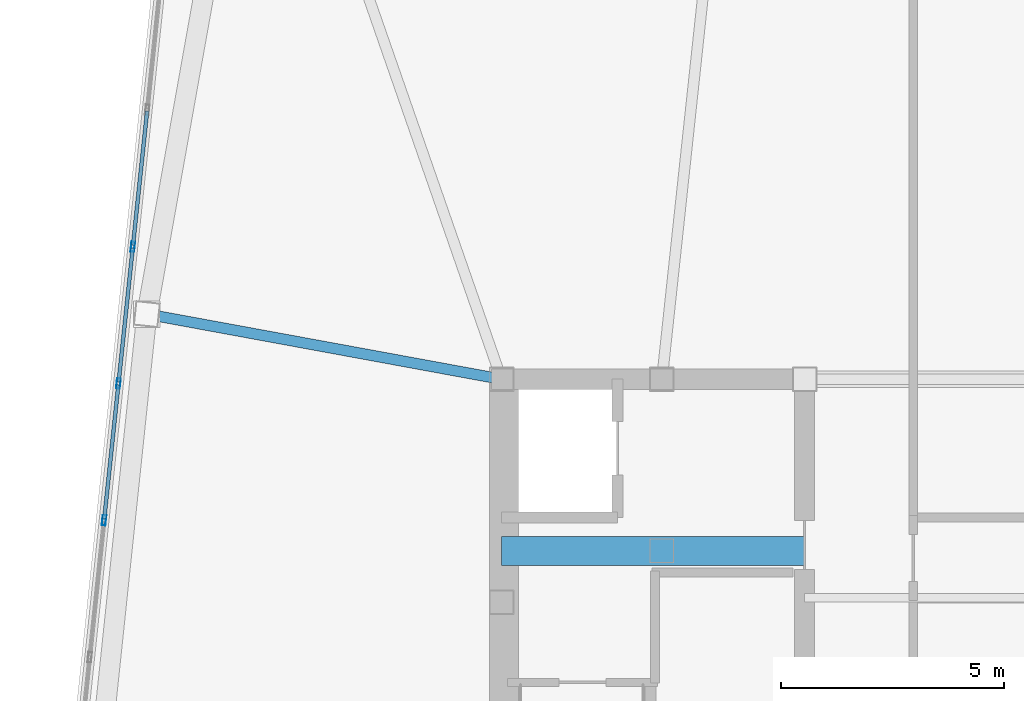
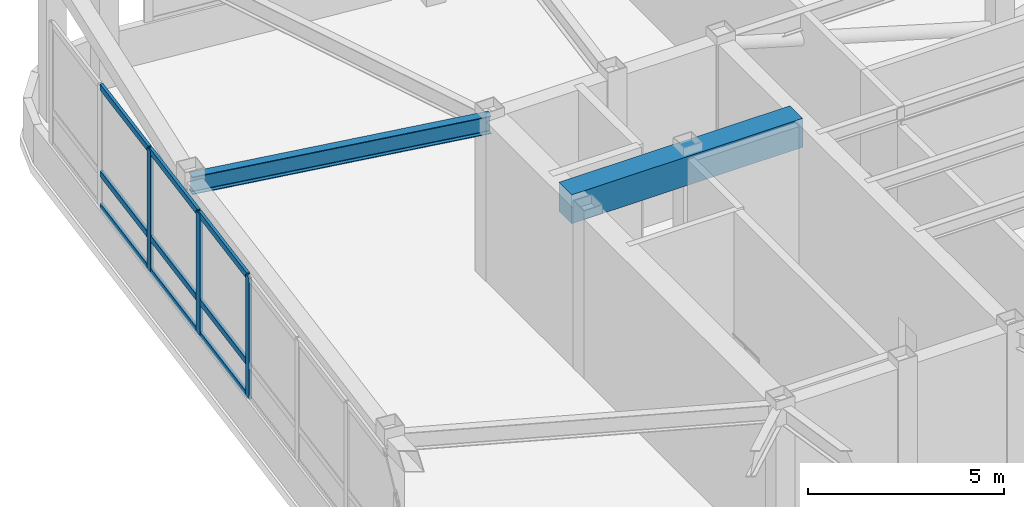
# One storey, part 7 of 21: 12 members, 2 beams, 1 element without a shape of its own.
"""IFC4 building model written with IfcOpenShell, lengths in metres."""

from ifc_helpers import new_model, si_unit, direction, frame, origin, origin_2d, place, context, subcontext, project, spatial, rectangle, hollow_rectangle, i_section, extrude, material, layer, layer_set, material_profile, profile_set, type_object, element, aggregate, save


model = new_model("IFC4")

# Units and contexts
model_context = context("Model", 3, precision=1e-05, world=origin(), true_north=direction((0.0, 1.0)))
body_context = subcontext(model_context, "Body", "Model", "MODEL_VIEW")
ifc_project = project(units=[si_unit("LENGTHUNIT", "METRE"), si_unit("AREAUNIT", "SQUARE_METRE"), si_unit("VOLUMEUNIT", "CUBIC_METRE"), si_unit("PLANEANGLEUNIT", "RADIAN"), si_unit("MASSUNIT", "GRAM", prefix="KILO")], contexts=[model_context])

# Site, building, storey
site_placement = place(None, origin())
site = spatial("IfcSite", under=ifc_project, at=site_placement, CompositionType="ELEMENT")
building_placement = place(site_placement, origin())
building = spatial("IfcBuilding", under=site, at=building_placement, Name="Voryun Gate Residences", CompositionType="ELEMENT")
storey_placement = place(building_placement, frame((0.0, 0.0, 337.199951171875)))
storey = spatial("IfcBuildingStorey", under=building, at=storey_placement, Name="L82", CompositionType="ELEMENT", Elevation=337.199951171875)

# Beams
ifc_material_1 = material(Name="Concrete C60/75", Category="concrete")
ifc_material_profile_1 = material_profile(ifc_material_1, rectangle(XDim=0.64990234375, YDim=0.89990234375, at=origin_2d()), Name="RC-650x900")
ifc_profile_set_1 = profile_set([ifc_material_profile_1], Name="Concrete C60/75")
beam_type_1 = type_object("IfcBeamType", Name="BM_COUP_RC900", PredefinedType="LINTEL", material=ifc_profile_set_1)
beam_1_placement = place(storey_placement, frame((-19.199951171875, 3.550048828125, 4.510009765625), z_axis=(1.0, 0.0, 0.0), x_axis=(0.0, 1.0, 0.0)))
element("IfcBeam", 1, at=beam_1_placement, inside=storey, type_object=beam_type_1, Name="BM-L82-WC1", PredefinedType="LINTEL", context=body_context, shape_type="SweptSolid", body=[
    extrude(rectangle(XDim=0.64990234375, YDim=0.89990234375, at=origin_2d()), origin(), (0.0, 0.0, 1.0), 6.800048828125),
])
ifc_material_2 = material(Name="Steel SM355", Category="steel")
ifc_material_profile_2 = material_profile(ifc_material_2, i_section(OverallWidth=0.239990234375, OverallDepth=0.550048828125, WebThickness=0.011962890625, FlangeThickness=0.02001953125, FilletRadius=0.01806640625, at=origin_2d()), Name="H-550x240x12x20")
ifc_profile_set_2 = profile_set([ifc_material_profile_2], Name="Steel SM355")
beam_type_2 = type_object("IfcBeamType", Name="BM_GIRD_550", PredefinedType="USERDEFINED", material=ifc_profile_set_2)
beam_2_placement = place(storey_placement, frame((-19.199951171875, 7.39990234375, 4.68505859375), z_axis=(-0.983548260318, 0.180645563534, 0.0), x_axis=(-0.180645563534, -0.983548260318, 0.0)))
element("IfcBeam", 2, at=beam_2_placement, inside=storey, type_object=beam_type_2, Name="BM-L82-RAD-W1", ObjectType="GIRDER", PredefinedType="USERDEFINED", context=body_context, shape_type="SweptSolid", body=[
    extrude(i_section(OverallWidth=0.239990234375, OverallDepth=0.550048828125, WebThickness=0.011962890625, FlangeThickness=0.02001953125, FilletRadius=0.01806640625, at=origin_2d()), origin(), (0.0, 0.0, 1.0), 8.09130859375),
])

# Curtain wall, members
ifc_material_3 = material(Name="Anodised aluminium", Category="aluminium")
ifc_layer = layer(ifc_material_3, 0.22998046875, Name="CW_SYS_LANTERN_DARK_GLASS")
ifc_layer_set = layer_set([ifc_layer], Name="Anodised aluminium")
curtain_wall_type = type_object("IfcCurtainWallType", Name="CW_SYS_LANTERN_DARK_GLASS", PredefinedType="NOTDEFINED", material=ifc_layer_set)
curtain_wall_placement = place(storey_placement, origin())
curtain_wall = element("IfcCurtainWall", 3, at=curtain_wall_placement, inside=storey, type_object=curtain_wall_type, Name="Curtain wall CW6-L82-06", PredefinedType="NOTDEFINED")
ifc_material_4 = material(Name="Anodised aluminium", Category="aluminium")
ifc_material_profile_3 = material_profile(ifc_material_4, hollow_rectangle(XDim=0.0849609375, YDim=0.22998046875, WallThickness=0.006103515625, at=origin_2d()), Name="ALU-MULL-230x85x6")
ifc_profile_set_3 = profile_set([ifc_material_profile_3], Name="Anodised aluminium")
member_type_1 = type_object("IfcMemberType", Name="CW_MULL_LANT", PredefinedType="MULLION", material=ifc_profile_set_3)
member_1_placement = place(storey_placement, frame((-28.1171875, 4.234375, 1.18994140625), z_axis=(0.0, 0.0, 1.0), x_axis=(-0.994521943608, 0.104528004296, 0.0)))
member_1 = element("IfcMember", 4, at=member_1_placement, type_object=member_type_1, Name="CW6 mullion 6", PredefinedType="MULLION", context=body_context, shape_type="SweptSolid", body=[
    extrude(hollow_rectangle(XDim=0.0849609375, YDim=0.22998046875, WallThickness=0.006103515625, at=origin_2d()), origin(), (0.0, 0.0, 1.0), 3.77001953125),
])
member_2_placement = place(storey_placement, frame((-27.79443359375, 7.305419921875, 1.18994140625), z_axis=(0.0, 0.0, 1.0), x_axis=(-0.994521943608, 0.104528004296, 0.0)))
member_2 = element("IfcMember", 5, at=member_2_placement, type_object=member_type_1, Name="CW6 mullion 7", PredefinedType="MULLION", context=body_context, shape_type="SweptSolid", body=[
    extrude(hollow_rectangle(XDim=0.0849609375, YDim=0.22998046875, WallThickness=0.006103515625, at=origin_2d()), origin(), (0.0, 0.0, 1.0), 3.77001953125),
])
member_3_placement = place(storey_placement, frame((-27.4716796875, 10.376220703125, 1.18994140625), z_axis=(0.0, 0.0, 1.0), x_axis=(-0.994521943608, 0.104528004296, 0.0)))
member_3 = element("IfcMember", 6, at=member_3_placement, type_object=member_type_1, Name="CW6 mullion 8", PredefinedType="MULLION", context=body_context, shape_type="SweptSolid", body=[
    extrude(hollow_rectangle(XDim=0.0849609375, YDim=0.22998046875, WallThickness=0.006103515625, at=origin_2d()), origin(), (0.0, 0.0, 1.0), 3.77001953125),
])
ifc_material_5 = material(Name="Anodised aluminium", Category="aluminium")
ifc_material_profile_4 = material_profile(ifc_material_5, hollow_rectangle(XDim=0.0849609375, YDim=0.18994140625, WallThickness=0.006103515625, at=origin_2d()), Name="ALU-TRAN-190x85x6")
ifc_profile_set_4 = profile_set([ifc_material_profile_4], Name="Anodised aluminium")
member_type_2 = type_object("IfcMemberType", Name="CW_TRAN_LANT", PredefinedType="USERDEFINED", material=ifc_profile_set_4)
member_4_placement = place(storey_placement, frame((-28.114013671875, 4.26416015625, 1.219970703125), z_axis=(0.104500100479, 0.994524876009, 0.0), x_axis=(-0.994524876009, 0.104500100479, 0.0)))
member_4 = element("IfcMember", 7, at=member_4_placement, type_object=member_type_2, Name="CW6 transom 6.1", ObjectType="TRANSOM", PredefinedType="USERDEFINED", context=body_context, shape_type="SweptSolid", body=[
    extrude(hollow_rectangle(XDim=0.0849609375, YDim=0.18994140625, WallThickness=0.006103515625, at=origin_2d()), origin(), (0.0, 0.0, 1.0), 3.02783203125),
])
member_5_placement = place(storey_placement, frame((-28.114013671875, 4.26416015625, 2.239990234375), z_axis=(0.104500100479, 0.994524876009, 0.0), x_axis=(-0.994524876009, 0.104500100479, 0.0)))
member_5 = element("IfcMember", 8, at=member_5_placement, type_object=member_type_2, Name="CW6 transom 6.2", ObjectType="TRANSOM", PredefinedType="USERDEFINED", context=body_context, shape_type="SweptSolid", body=[
    extrude(hollow_rectangle(XDim=0.0849609375, YDim=0.18994140625, WallThickness=0.006103515625, at=origin_2d()), origin(), (0.0, 0.0, 1.0), 3.02783203125),
])
member_6_placement = place(storey_placement, frame((-28.114013671875, 4.26416015625, 4.929931640625), z_axis=(0.104500100479, 0.994524876009, 0.0), x_axis=(-0.994524876009, 0.104500100479, 0.0)))
member_6 = element("IfcMember", 9, at=member_6_placement, type_object=member_type_2, Name="CW6 transom 6.3", ObjectType="TRANSOM", PredefinedType="USERDEFINED", context=body_context, shape_type="SweptSolid", body=[
    extrude(hollow_rectangle(XDim=0.0849609375, YDim=0.18994140625, WallThickness=0.006103515625, at=origin_2d()), origin(), (0.0, 0.0, 1.0), 3.02783203125),
])
member_7_placement = place(storey_placement, frame((-27.791259765625, 7.335205078125, 1.219970703125), z_axis=(0.104500100479, 0.994524876009, 0.0), x_axis=(-0.994524876009, 0.104500100479, 0.0)))
member_7 = element("IfcMember", 10, at=member_7_placement, type_object=member_type_2, Name="CW6 transom 7.1", ObjectType="TRANSOM", PredefinedType="USERDEFINED", context=body_context, shape_type="SweptSolid", body=[
    extrude(hollow_rectangle(XDim=0.0849609375, YDim=0.18994140625, WallThickness=0.006103515625, at=origin_2d()), origin(), (0.0, 0.0, 1.0), 3.02783203125),
])
member_8_placement = place(storey_placement, frame((-27.791259765625, 7.335205078125, 2.239990234375), z_axis=(0.104500100479, 0.994524876009, 0.0), x_axis=(-0.994524876009, 0.104500100479, 0.0)))
member_8 = element("IfcMember", 11, at=member_8_placement, type_object=member_type_2, Name="CW6 transom 7.2", ObjectType="TRANSOM", PredefinedType="USERDEFINED", context=body_context, shape_type="SweptSolid", body=[
    extrude(hollow_rectangle(XDim=0.0849609375, YDim=0.18994140625, WallThickness=0.006103515625, at=origin_2d()), origin(), (0.0, 0.0, 1.0), 3.02783203125),
])
member_9_placement = place(storey_placement, frame((-27.791259765625, 7.335205078125, 4.929931640625), z_axis=(0.104500100479, 0.994524876009, 0.0), x_axis=(-0.994524876009, 0.104500100479, 0.0)))
member_9 = element("IfcMember", 12, at=member_9_placement, type_object=member_type_2, Name="CW6 transom 7.3", ObjectType="TRANSOM", PredefinedType="USERDEFINED", context=body_context, shape_type="SweptSolid", body=[
    extrude(hollow_rectangle(XDim=0.0849609375, YDim=0.18994140625, WallThickness=0.006103515625, at=origin_2d()), origin(), (0.0, 0.0, 1.0), 3.02783203125),
])
member_10_placement = place(storey_placement, frame((-27.468505859375, 10.406005859375, 1.219970703125), z_axis=(0.104500100479, 0.994524876009, 0.0), x_axis=(-0.994524876009, 0.104500100479, 0.0)))
member_10 = element("IfcMember", 13, at=member_10_placement, type_object=member_type_2, Name="CW6 transom 8.1", ObjectType="TRANSOM", PredefinedType="USERDEFINED", context=body_context, shape_type="SweptSolid", body=[
    extrude(hollow_rectangle(XDim=0.0849609375, YDim=0.18994140625, WallThickness=0.006103515625, at=origin_2d()), origin(), (0.0, 0.0, 1.0), 3.02783203125),
])
member_11_placement = place(storey_placement, frame((-27.468505859375, 10.406005859375, 2.239990234375), z_axis=(0.104500100479, 0.994524876009, 0.0), x_axis=(-0.994524876009, 0.104500100479, 0.0)))
member_11 = element("IfcMember", 14, at=member_11_placement, type_object=member_type_2, Name="CW6 transom 8.2", ObjectType="TRANSOM", PredefinedType="USERDEFINED", context=body_context, shape_type="SweptSolid", body=[
    extrude(hollow_rectangle(XDim=0.0849609375, YDim=0.18994140625, WallThickness=0.006103515625, at=origin_2d()), origin(), (0.0, 0.0, 1.0), 3.02783203125),
])
member_12_placement = place(storey_placement, frame((-27.468505859375, 10.406005859375, 4.929931640625), z_axis=(0.104500100479, 0.994524876009, 0.0), x_axis=(-0.994524876009, 0.104500100479, 0.0)))
member_12 = element("IfcMember", 15, at=member_12_placement, type_object=member_type_2, Name="CW6 transom 8.3", ObjectType="TRANSOM", PredefinedType="USERDEFINED", context=body_context, shape_type="SweptSolid", body=[
    extrude(hollow_rectangle(XDim=0.0849609375, YDim=0.18994140625, WallThickness=0.006103515625, at=origin_2d()), origin(), (0.0, 0.0, 1.0), 3.02783203125),
])
aggregate(curtain_wall, [member_1, member_2, member_3, member_4, member_5, member_6, member_7, member_8, member_9, member_10, member_11, member_12])

save(model, "model.ifc")
